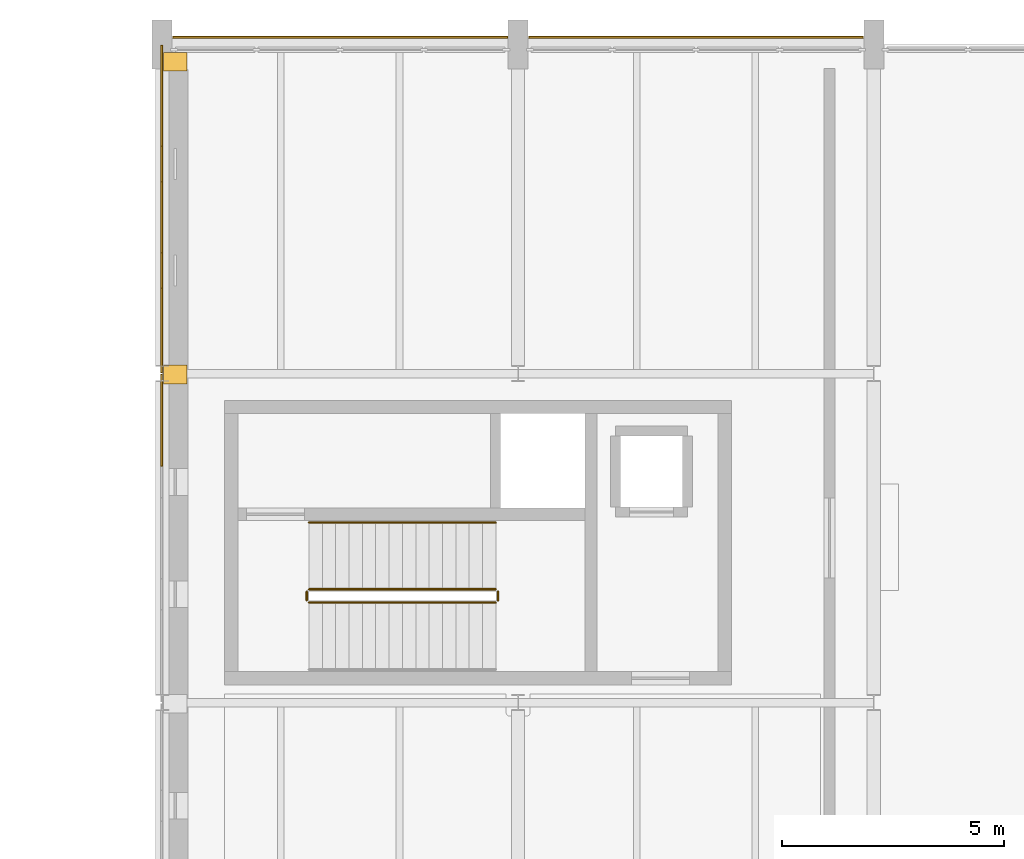
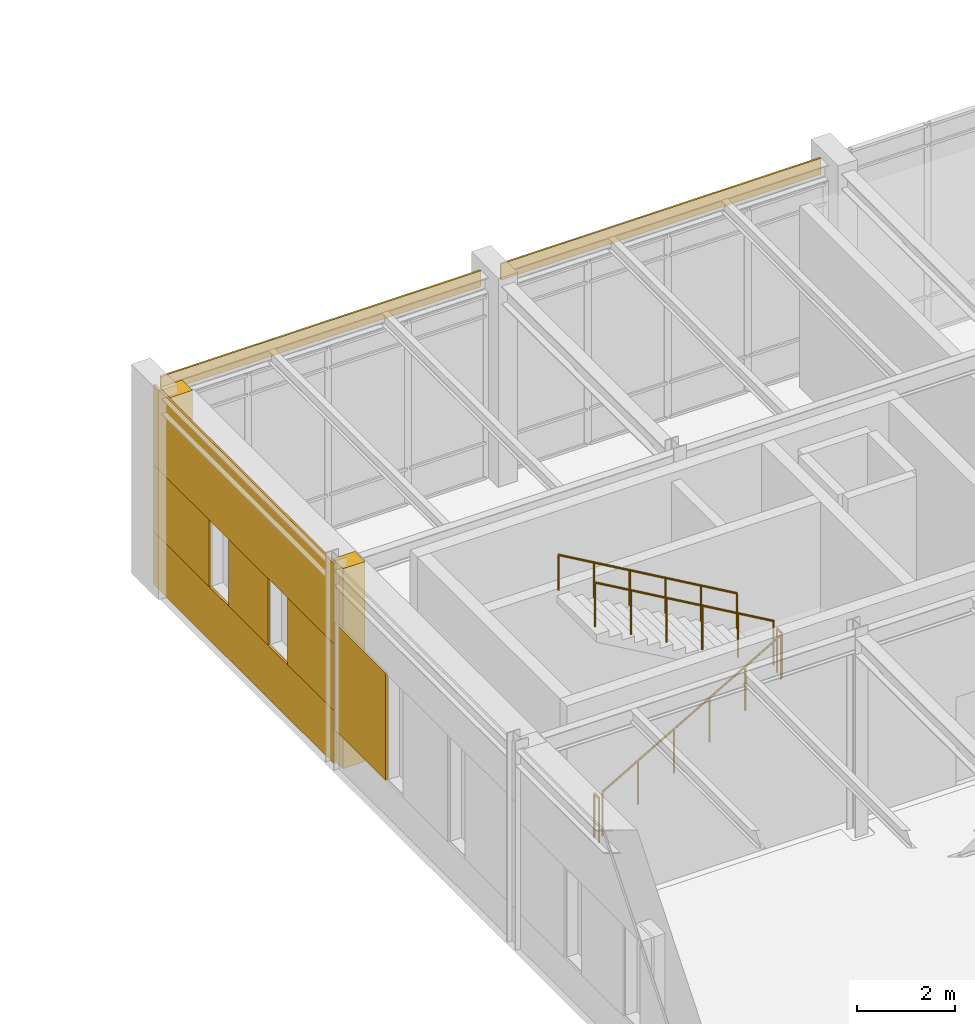
# One storey, part 47 of 48: 10 coverings, 5 railings.
"""IFC4 building model written with IfcOpenShell, lengths in metres."""

from ifc_helpers import new_model, si_unit, direction, frame, frame_2d, origin, origin_2d, place, context, subcontext, project, spatial, rectangle, circle, extrude, material, layer, layer_set, type_object, element, save


model = new_model("IFC4")

# Units and contexts
model_context = context("Model", 3, precision=1e-05, world=origin(), true_north=direction((0.0, 1.0)))
body_context = subcontext(model_context, "Body", "Model", "MODEL_VIEW")
ifc_project = project(units=[si_unit("LENGTHUNIT", "METRE"), si_unit("AREAUNIT", "SQUARE_METRE"), si_unit("VOLUMEUNIT", "CUBIC_METRE"), si_unit("PLANEANGLEUNIT", "RADIAN"), si_unit("MASSUNIT", "GRAM", prefix="KILO")], contexts=[model_context])

# Site, building, storey
site_placement = place(None, origin())
site = spatial("IfcSite", under=ifc_project, at=site_placement, CompositionType="ELEMENT")
building_placement = place(site_placement, origin())
building = spatial("IfcBuilding", under=site, at=building_placement, Name="Valkorina Park Police Headquarters", CompositionType="ELEMENT")
storey_placement = place(building_placement, frame((0.0, 0.0, 18.10009765625)))
storey = spatial("IfcBuildingStorey", under=building, at=storey_placement, Name="L05", CompositionType="ELEMENT", Elevation=18.10009765625)

# Coverings
ifc_material_1 = material(Name="Precast concrete C40/50", Category="concrete")
ifc_layer = layer(ifc_material_1, 0.044921875)
ifc_layer_set = layer_set([ifc_layer], Name="Precast concrete C40/50")
covering_type = type_object("IfcCoveringType", Name="COV-CLAD-DOLOMITE", PredefinedType="CLADDING", material=ifc_layer_set)
covering_1_placement = place(storey_placement, frame((81.090087890625, 73.97998046875, 0.0), z_axis=(0.0, 0.0, 1.0), x_axis=(0.0, 1.0, 0.0)))
element("IfcCovering", 1, at=covering_1_placement, inside=storey, type_object=covering_type, Name="L05 Exterior Joint Closure Pilaster B 2430", PredefinedType="CLADDING", context=body_context, shape_type="SweptSolid", body=[
    extrude(rectangle(XDim=0.419921875, YDim=0.52197265625, at=origin_2d()), origin(), (0.0, 0.0, 1.0), 4.97998046875),
])
covering_2_placement = place(storey_placement, frame((80.784912109375, 71.91357421875, 0.869873046875), z_axis=(0.0, 0.0, 1.0), x_axis=(0.0, 1.0, 0.0)))
element("IfcCovering", 2, at=covering_2_placement, inside=storey, type_object=covering_type, Name="L05 Calm Concrete Base Slot Pier 2435", PredefinedType="CLADDING", context=body_context, shape_type="SweptSolid", body=[
    extrude(rectangle(XDim=2.06640625, YDim=0.044921875, at=frame_2d((1.033203125, 0.0))), origin(), (0.0, 0.0, 1.0), 2.659912109375),
])
covering_3_placement = place(storey_placement, frame((81.090087890625, 81.010009765625, 0.0), z_axis=(0.0, 0.0, 1.0), x_axis=(0.0, 1.0, 0.0)))
element("IfcCovering", 3, at=covering_3_placement, inside=storey, type_object=covering_type, Name="L05 Exterior Joint Closure Pilaster B 2436", PredefinedType="CLADDING", context=body_context, shape_type="SweptSolid", body=[
    extrude(rectangle(XDim=0.419921875, YDim=0.52197265625, at=origin_2d()), origin(), (0.0, 0.0, 1.0), 4.97998046875),
])
covering_4_placement = place(storey_placement, frame((80.784912109375, 74.02001953125, 0.0), z_axis=(0.0, 0.0, 1.0), x_axis=(0.0, 1.0, 0.0)))
element("IfcCovering", 4, at=covering_4_placement, inside=storey, type_object=covering_type, Name="L05 Calm Concrete Base Sill Spandrel 2437", PredefinedType="CLADDING", context=body_context, shape_type="SweptSolid", body=[
    extrude(rectangle(XDim=7.35986328125, YDim=0.044921875, at=frame_2d((3.679931640625, 0.0))), origin(), (0.0, 0.0, 1.0), 1.31982421875),
])
covering_5_placement = place(storey_placement, frame((80.784912109375, 74.02001953125, 2.97998046875), z_axis=(0.0, 0.0, 1.0), x_axis=(0.0, 1.0, 0.0)))
element("IfcCovering", 5, at=covering_5_placement, inside=storey, type_object=covering_type, Name="L05 Calm Concrete Base Lintel Spandrel 2438", PredefinedType="CLADDING", context=body_context, shape_type="SweptSolid", body=[
    extrude(rectangle(XDim=7.35986328125, YDim=0.044921875, at=frame_2d((3.679931640625, 0.0))), origin(), (0.0, 0.0, 1.0), 2.0),
])
covering_6_placement = place(storey_placement, frame((80.784912109375, 74.02001953125, 1.31982421875), z_axis=(0.0, 0.0, 1.0), x_axis=(0.0, 1.0, 0.0)))
element("IfcCovering", 6, at=covering_6_placement, inside=storey, type_object=covering_type, Name="L05 Calm Concrete Base Slot Pier 2439", PredefinedType="CLADDING", context=body_context, shape_type="SweptSolid", body=[
    extrude(rectangle(XDim=1.89794921875, YDim=0.044921875, at=frame_2d((0.948974609375, 0.0))), origin(), (0.0, 0.0, 1.0), 1.66015625),
])
covering_7_placement = place(storey_placement, frame((80.784912109375, 76.718017578125, 1.31982421875), z_axis=(0.0, 0.0, 1.0), x_axis=(0.0, 1.0, 0.0)))
element("IfcCovering", 7, at=covering_7_placement, inside=storey, type_object=covering_type, Name="L05 Calm Concrete Base Slot Pier 2440", PredefinedType="CLADDING", context=body_context, shape_type="SweptSolid", body=[
    extrude(rectangle(XDim=1.593994140625, YDim=0.044921875, at=frame_2d((0.796875, 0.0))), origin(), (0.0, 0.0, 1.0), 1.66015625),
])
covering_8_placement = place(storey_placement, frame((80.784912109375, 79.112060546875, 1.31982421875), z_axis=(0.0, 0.0, 1.0), x_axis=(0.0, 1.0, 0.0)))
element("IfcCovering", 8, at=covering_8_placement, inside=storey, type_object=covering_type, Name="L05 Calm Concrete Base Slot Pier 2441", PredefinedType="CLADDING", context=body_context, shape_type="SweptSolid", body=[
    extrude(rectangle(XDim=2.267822265625, YDim=0.044921875, at=frame_2d((1.1337890625, 0.0))), origin(), (0.0, 0.0, 1.0), 1.66015625),
])
for number, where, z_axis, x_axis, name in (
    (9, (81.034912109375, 81.56005859375, 4.579833984375), (0.0, 0.0, 1.0), (1.0, 0.0, 0.0), "L05 Spandrel Beam Insulated Fascia 2442"),
    (10, (89.034912109375, 81.56005859375, 4.579833984375), (0.0, 0.0, 1.0), (1.0, 0.0, 0.0), "L05 Spandrel Beam Insulated Fascia 2443"),
):
    element("IfcCovering", number, at=place(storey_placement, frame(where, z_axis=z_axis, x_axis=x_axis)), inside=storey, type_object=covering_type, Name=name, PredefinedType="CLADDING", context=body_context, shape_type="SweptSolid", body=[
        extrude(rectangle(XDim=7.530029296875, YDim=0.044921875, at=frame_2d((3.76513671875, 0.0))), origin(), (0.0, 0.0, 1.0), 0.400146484375),
    ])

# Railings
ifc_material_2 = material(Name="Stainless steel EN 1.4404", Category="steel")
railing_type_1 = type_object("IfcRailingType", Name="RL-GUARD-INT-1100", PredefinedType="BALUSTRADE", material=ifc_material_2)
railing_1_placement = place(storey_placement, frame((84.10009765625, 68.85009765625, 0.17333984375)))
element("IfcRailing", 11, at=railing_1_placement, inside=storey, type_object=railing_type_1, Name="L05 Core C6 Stair Guard 1", PredefinedType="BALUSTRADE", context=body_context, shape_type="SweptSolid", body=[
    extrude(circle(Radius=0.02392578125, at=origin_2d()), frame((0.0, 0.0, 1.09619140625), z_axis=(0.865876216699, 0.0, 0.50025831063), x_axis=(0.0, 1.0, 0.0)), (0.0, 0.0, 1.0), 4.8505859375),
    extrude(circle(Radius=0.02099609375, at=origin_2d()), origin(), (0.0, 0.0, 1.0), 1.072021484375),
    extrude(circle(Radius=0.02099609375, at=origin_2d()), frame((0.840087890625, 0.0, 0.4853515625)), (0.0, 0.0, 1.0), 1.072021484375),
    extrude(circle(Radius=0.02099609375, at=origin_2d()), frame((1.679931640625, 0.0, 0.970703125)), (0.0, 0.0, 1.0), 1.072021484375),
    extrude(circle(Radius=0.02099609375, at=origin_2d()), frame((2.52001953125, 0.0, 1.455810546875)), (0.0, 0.0, 1.0), 1.072021484375),
    extrude(circle(Radius=0.02099609375, at=origin_2d()), frame((3.35986328125, 0.0, 1.941162109375)), (0.0, 0.0, 1.0), 1.072021484375),
    extrude(circle(Radius=0.02099609375, at=origin_2d()), frame((4.199951171875, 0.0, 2.426513671875)), (0.0, 0.0, 1.0), 1.072021484375),
])
railing_2_placement = place(storey_placement, frame((88.35009765625, 68.89990234375, 2.599853515625)))
element("IfcRailing", 12, at=railing_2_placement, inside=storey, type_object=railing_type_1, Name="L05 Core C6 Stair Guard 2", PredefinedType="BALUSTRADE", context=body_context, shape_type="SweptSolid", body=[
    extrude(circle(Radius=0.02392578125, at=origin_2d()), frame((0.0, 0.0, 1.09619140625), z_axis=(0.0, 1.0, 0.0), x_axis=(-1.0, 0.0, 0.0)), (0.0, 0.0, 1.0), 0.2001953125),
    extrude(circle(Radius=0.02099609375, at=origin_2d()), origin(), (0.0, 0.0, 1.0), 1.072021484375),
    extrude(circle(Radius=0.02099609375, at=origin_2d()), frame((0.0, 0.2001953125, 0.0)), (0.0, 0.0, 1.0), 1.072021484375),
])
railing_3_placement = place(storey_placement, frame((88.300048828125, 69.14990234375, 2.773193359375)))
element("IfcRailing", 13, at=railing_3_placement, inside=storey, type_object=railing_type_1, Name="L05 Core C6 Stair Guard 3", PredefinedType="BALUSTRADE", context=body_context, shape_type="SweptSolid", body=[
    extrude(circle(Radius=0.02392578125, at=origin_2d()), frame((0.0, 0.0, 1.09619140625), z_axis=(-0.865854414154, 0.0, 0.500296045846), x_axis=(0.0, -1.0, 0.0)), (0.0, 0.0, 1.0), 4.8505859375),
    extrude(circle(Radius=0.02099609375, at=origin_2d()), origin(), (0.0, 0.0, 1.0), 1.072021484375),
    extrude(circle(Radius=0.02099609375, at=origin_2d()), frame((-0.840087890625, 0.0, 0.4853515625)), (0.0, 0.0, 1.0), 1.072021484375),
    extrude(circle(Radius=0.02099609375, at=origin_2d()), frame((-1.679931640625, 0.0, 0.970703125)), (0.0, 0.0, 1.0), 1.072021484375),
    extrude(circle(Radius=0.02099609375, at=origin_2d()), frame((-2.52001953125, 0.0, 1.4560546875)), (0.0, 0.0, 1.0), 1.072021484375),
    extrude(circle(Radius=0.02099609375, at=origin_2d()), frame((-3.35986328125, 0.0, 1.94140625)), (0.0, 0.0, 1.0), 1.072021484375),
    extrude(circle(Radius=0.02099609375, at=origin_2d()), frame((-4.199951171875, 0.0, 2.4267578125)), (0.0, 0.0, 1.0), 1.072021484375),
])
railing_4_placement = place(storey_placement, frame((84.050048828125, 68.89990234375, 0.0)))
element("IfcRailing", 14, at=railing_4_placement, inside=storey, type_object=railing_type_1, Name="L05 Core C6 Stair Guard 4", PredefinedType="BALUSTRADE", context=body_context, shape_type="SweptSolid", body=[
    extrude(circle(Radius=0.02392578125, at=origin_2d()), frame((0.0, 0.0, 1.09619140625), z_axis=(0.0, 1.0, 0.0), x_axis=(-1.0, 0.0, 0.0)), (0.0, 0.0, 1.0), 0.2001953125),
    extrude(circle(Radius=0.02099609375, at=origin_2d()), origin(), (0.0, 0.0, 1.0), 1.072021484375),
    extrude(circle(Radius=0.02099609375, at=origin_2d()), frame((0.0, 0.2001953125, 0.0)), (0.0, 0.0, 1.0), 1.072021484375),
])
railing_type_2 = type_object("IfcRailingType", Name="RL-HANDRAIL-900", PredefinedType="HANDRAIL", material=ifc_material_2)
railing_5_placement = place(storey_placement, frame((88.300048828125, 70.64990234375, 2.773193359375)))
element("IfcRailing", 15, at=railing_5_placement, inside=storey, type_object=railing_type_2, Name="L05 Core C6 Stair Handrail 2", PredefinedType="HANDRAIL", context=body_context, shape_type="SweptSolid", body=[
    extrude(circle(Radius=0.02392578125, at=origin_2d()), frame((0.0, 0.0, 0.8759765625), z_axis=(-0.865854414154, 0.0, 0.500296045846), x_axis=(0.0, -1.0, 0.0)), (0.0, 0.0, 1.0), 4.8505859375),
    extrude(circle(Radius=0.02099609375, at=origin_2d()), origin(), (0.0, 0.0, 1.0), 0.851806640625),
    extrude(circle(Radius=0.02099609375, at=origin_2d()), frame((-0.840087890625, 0.0, 0.4853515625)), (0.0, 0.0, 1.0), 0.851806640625),
    extrude(circle(Radius=0.02099609375, at=origin_2d()), frame((-1.679931640625, 0.0, 0.970703125)), (0.0, 0.0, 1.0), 0.851806640625),
    extrude(circle(Radius=0.02099609375, at=origin_2d()), frame((-2.52001953125, 0.0, 1.4560546875)), (0.0, 0.0, 1.0), 0.851806640625),
    extrude(circle(Radius=0.02099609375, at=origin_2d()), frame((-3.35986328125, 0.0, 1.94140625)), (0.0, 0.0, 1.0), 0.851806640625),
    extrude(circle(Radius=0.02099609375, at=origin_2d()), frame((-4.199951171875, 0.0, 2.4267578125)), (0.0, 0.0, 1.0), 0.851806640625),
])

save(model, "model.ifc")
